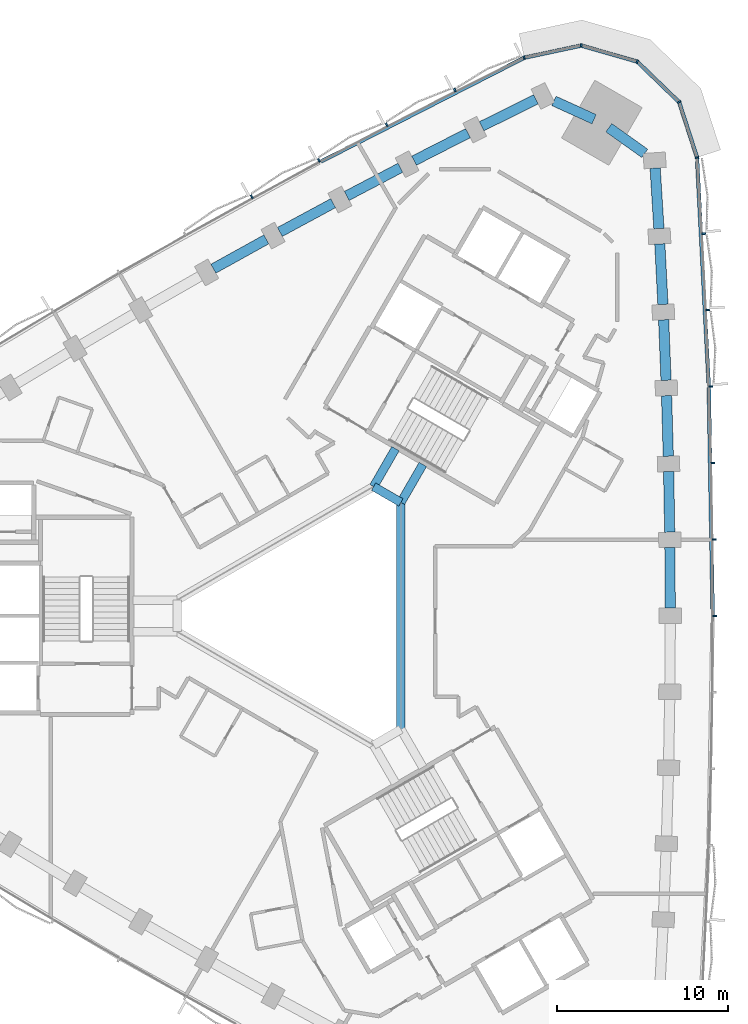
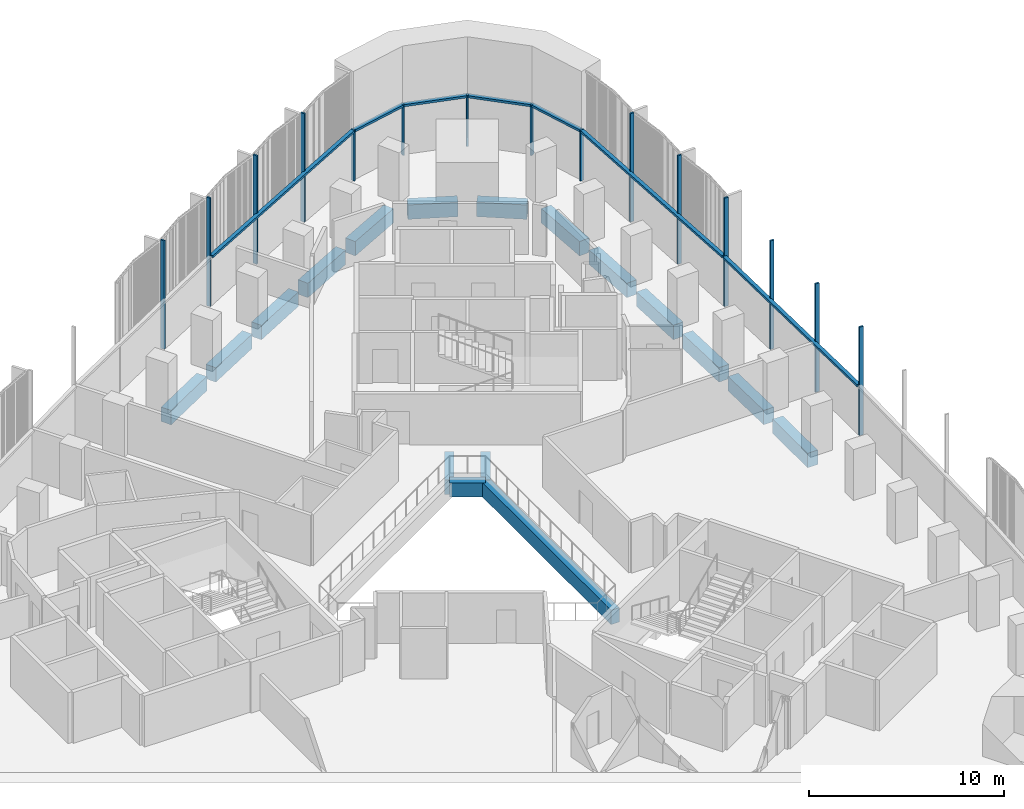
# One storey, part 5 of 15: 22 members, 17 beams, 2 elements without a shape of their own.
"""IFC4 building model written with IfcOpenShell, lengths in metres."""

from ifc_helpers import new_model, si_unit, direction, frame, origin, origin_2d, place, context, subcontext, project, spatial, rectangle, extrude, material, material_profile, profile_set, type_object, element, aggregate, save


model = new_model("IFC4")

# Units and contexts
model_context = context("Model", 3, precision=1e-05, world=origin(), true_north=direction((0.0, 1.0)))
body_context = subcontext(model_context, "Body", "Model", "MODEL_VIEW")
ifc_project = project(units=[si_unit("LENGTHUNIT", "METRE"), si_unit("AREAUNIT", "SQUARE_METRE"), si_unit("VOLUMEUNIT", "CUBIC_METRE"), si_unit("PLANEANGLEUNIT", "RADIAN"), si_unit("MASSUNIT", "GRAM", prefix="KILO")], contexts=[model_context])

# Site, building, storey
site_placement = place(None, origin())
site = spatial("IfcSite", under=ifc_project, at=site_placement, CompositionType="ELEMENT")
building_placement = place(site_placement, origin())
building = spatial("IfcBuilding", under=site, at=building_placement, Name="Tamra Quay Hotel Tower", CompositionType="ELEMENT")
storey_placement = place(building_placement, frame((0.0, 0.0, 101.0)))
storey = spatial("IfcBuildingStorey", under=building, at=storey_placement, Name="L24", CompositionType="ELEMENT", Elevation=101.0)

# Beams
ifc_material_1 = material(Name="Concrete M60", Category="concrete")
ifc_material_profile_1 = material_profile(ifc_material_1, rectangle(XDim=0.5, YDim=0.89990234375, at=origin_2d()), Name="ATRIUM EDGE BEAM RC 500x900")
ifc_profile_set_1 = profile_set([ifc_material_profile_1], Name="Concrete M60")
beam_type_1 = type_object("IfcBeamType", Name="ATRIUM EDGE BEAM RC 500x900", PredefinedType="BEAM", material=ifc_profile_set_1)
beam_1_placement = place(storey_placement, frame((4.89990234375, 6.639404296875, -0.875), z_axis=(0.0, -1.0, 0.0), x_axis=(1.0, 0.0, 0.0)))
element("IfcBeam", 1, at=beam_1_placement, inside=storey, type_object=beam_type_1, Name="BM-AB0-L24", PredefinedType="BEAM", context=body_context, shape_type="SweptSolid", body=[
    extrude(rectangle(XDim=0.5, YDim=0.89990234375, at=origin_2d()), origin(), (0.0, 0.0, 1.0), 13.27880859375),
])
beam_2_placement = place(storey_placement, frame((3.300048828125, 7.563232421875, -0.875), z_axis=(0.865989712182, -0.500061814573, 0.0), x_axis=(0.500061814573, 0.865989712182, 0.0)))
element("IfcBeam", 2, at=beam_2_placement, inside=storey, type_object=beam_type_1, Name="BM-AB5-L24", PredefinedType="BEAM", context=body_context, shape_type="SweptSolid", body=[
    extrude(rectangle(XDim=0.5, YDim=0.89990234375, at=origin_2d()), origin(), (0.0, 0.0, 1.0), 1.847412109375),
])
ifc_material_profile_2 = material_profile(ifc_material_1, rectangle(XDim=0.5, YDim=0.89990234375, at=origin_2d()), Name="ATRIUM TIE BEAM RC 500x900")
ifc_profile_set_2 = profile_set([ifc_material_profile_2], Name="Concrete M60")
beam_type_2 = type_object("IfcBeamType", Name="ATRIUM TIE BEAM RC 500x900", PredefinedType="BEAM", material=ifc_profile_set_2)
for number, where, z_axis, x_axis, name in (
    (3, (4.89990234375, 6.639404296875, -0.875), (0.50003311468, 0.866006284171, 0.0), (-0.866006284171, 0.50003311468, 0.0), "BM-TIE-0-L24"),
    (4, (3.300048828125, 7.563232421875, -0.875), (0.499961652204, 0.866047542763, 0.0), (-0.866047542763, 0.499961652204, 0.0), "BM-TIE-5-L24"),
):
    element("IfcBeam", number, at=place(storey_placement, frame(where, z_axis=z_axis, x_axis=x_axis)), inside=storey, type_object=beam_type_2, Name=name, PredefinedType="BEAM", context=body_context, shape_type="SweptSolid", body=[
        extrude(rectangle(XDim=0.5, YDim=0.89990234375, at=origin_2d()), origin(), (0.0, 0.0, 1.0), 2.562255859375),
    ])

# Curtain wall, members
ifc_material_2 = material(Name="Aluminium 6063 anodised dark grey", Category="aluminium")
curtain_wall_type_1 = type_object("IfcCurtainWallType", Name="CW1 CURTAIN WALL", PredefinedType="NOTDEFINED", material=ifc_material_2)
curtain_wall_1_placement = place(storey_placement, origin())
curtain_wall_1 = element("IfcCurtainWall", 5, at=curtain_wall_1_placement, inside=storey, type_object=curtain_wall_type_1, Name="CW1 east face L24", PredefinedType="NOTDEFINED")
ifc_material_profile_3 = material_profile(ifc_material_2, rectangle(XDim=0.219970703125, YDim=0.10009765625, at=origin_2d()), Name="MULLION 100X220")
ifc_profile_set_3 = profile_set([ifc_material_profile_3], Name="Aluminium 6063 anodised dark grey")
member_type_1 = type_object("IfcMemberType", Name="MULLION CW1 Z2", PredefinedType="MULLION", material=ifc_profile_set_3)
member_1_placement = place(storey_placement, frame((23.2548828125, 0.0, 0.0), z_axis=(0.0, 0.0, 1.0), x_axis=(1.0, 0.0, 0.0)))
member_1 = element("IfcMember", 6, at=member_1_placement, type_object=member_type_1, Name="CW1 mullion L24.E.7", PredefinedType="MULLION", context=body_context, shape_type="SweptSolid", body=[
    extrude(rectangle(XDim=0.219970703125, YDim=0.10009765625, at=origin_2d()), origin(), (0.0, 0.0, 1.0), 6.77490234375),
])
member_2_placement = place(storey_placement, frame((23.229248046875, 4.474365234375, 0.0), z_axis=(0.0, 0.0, 1.0), x_axis=(0.999934749621, 0.011423506449, 0.0)))
member_2 = element("IfcMember", 7, at=member_2_placement, type_object=member_type_1, Name="CW1 mullion L24.E.8", PredefinedType="MULLION", context=body_context, shape_type="SweptSolid", body=[
    extrude(rectangle(XDim=0.219970703125, YDim=0.10009765625, at=origin_2d()), origin(), (0.0, 0.0, 1.0), 6.77490234375),
])
member_3_placement = place(storey_placement, frame((23.152587890625, 8.9482421875, 0.0), z_axis=(0.0, 0.0, 1.0), x_axis=(0.99973912156, 0.022840508384, 0.0)))
member_3 = element("IfcMember", 8, at=member_3_placement, type_object=member_type_1, Name="CW1 mullion L24.E.9", PredefinedType="MULLION", context=body_context, shape_type="SweptSolid", body=[
    extrude(rectangle(XDim=0.219970703125, YDim=0.10009765625, at=origin_2d()), origin(), (0.0, 0.0, 1.0), 6.77490234375),
])
member_4_placement = place(storey_placement, frame((23.02490234375, 13.4208984375, 0.0), z_axis=(0.0, 0.0, 1.0), x_axis=(0.999413445306, 0.034245661637, 0.0)))
member_4 = element("IfcMember", 9, at=member_4_placement, type_object=member_type_1, Name="CW1 mullion L24.E.10", PredefinedType="MULLION", context=body_context, shape_type="SweptSolid", body=[
    extrude(rectangle(XDim=0.219970703125, YDim=0.10009765625, at=origin_2d()), origin(), (0.0, 0.0, 1.0), 6.77490234375),
])
member_5_placement = place(storey_placement, frame((22.84619140625, 17.891845703125, 0.0), z_axis=(0.0, 0.0, 1.0), x_axis=(0.998958269731, 0.045633050909, 0.0)))
member_5 = element("IfcMember", 10, at=member_5_placement, type_object=member_type_1, Name="CW1 mullion L24.E.11", PredefinedType="MULLION", context=body_context, shape_type="SweptSolid", body=[
    extrude(rectangle(XDim=0.219970703125, YDim=0.10009765625, at=origin_2d()), origin(), (0.0, 0.0, 1.0), 6.77490234375),
])
member_6_placement = place(storey_placement, frame((22.616455078125, 22.3603515625, 0.0), z_axis=(0.0, 0.0, 1.0), x_axis=(0.998374392587, 0.056996247479, 0.0)))
member_6 = element("IfcMember", 11, at=member_6_placement, type_object=member_type_1, Name="CW1 mullion L24.E.12", PredefinedType="MULLION", context=body_context, shape_type="SweptSolid", body=[
    extrude(rectangle(XDim=0.219970703125, YDim=0.10009765625, at=origin_2d()), origin(), (0.0, 0.0, 1.0), 6.77490234375),
])
member_7_placement = place(storey_placement, frame((22.226318359375, 26.81787109375, 0.0), z_axis=(0.0, 0.0, 1.0), x_axis=(0.982419091866, 0.186688853275, 0.0)))
member_7 = element("IfcMember", 12, at=member_7_placement, type_object=member_type_1, Name="CW1 mullion L24.E.13", PredefinedType="MULLION", context=body_context, shape_type="SweptSolid", body=[
    extrude(rectangle(XDim=0.219970703125, YDim=0.10009765625, at=origin_2d()), origin(), (0.0, 0.0, 1.0), 3.175048828125),
])
member_8_placement = place(storey_placement, frame((21.1767578125, 30.062255859375, 0.0), z_axis=(0.0, 0.0, 1.0), x_axis=(0.848503146373, 0.529190334941, 0.0)))
member_8 = element("IfcMember", 13, at=member_8_placement, type_object=member_type_1, Name="CW1 mullion L24.E.14", PredefinedType="MULLION", context=body_context, shape_type="SweptSolid", body=[
    extrude(rectangle(XDim=0.219970703125, YDim=0.10009765625, at=origin_2d()), origin(), (0.0, 0.0, 1.0), 3.175048828125),
])
member_9_placement = place(storey_placement, frame((18.724853515625, 32.43212890625, 0.0), z_axis=(0.0, 0.0, 1.0), x_axis=(0.5, 0.866025403784, 0.0)))
member_9 = element("IfcMember", 14, at=member_9_placement, type_object=member_type_1, Name="CW1 mullion L24.E.15", PredefinedType="MULLION", context=body_context, shape_type="SweptSolid", body=[
    extrude(rectangle(XDim=0.219970703125, YDim=0.10009765625, at=origin_2d()), origin(), (0.0, 0.0, 1.0), 3.175048828125),
])
member_10_placement = place(storey_placement, frame((15.4462890625, 33.370849609375, 0.0), z_axis=(0.0, 0.0, 1.0), x_axis=(0.03404070031, 0.999420447421, 0.0)))
member_10 = element("IfcMember", 15, at=member_10_placement, type_object=member_type_1, Name="CW1 mullion L24.E.16", PredefinedType="MULLION", context=body_context, shape_type="SweptSolid", body=[
    extrude(rectangle(XDim=0.219970703125, YDim=0.10009765625, at=origin_2d()), origin(), (0.0, 0.0, 1.0), 3.175048828125),
])

curtain_wall_type_2 = type_object("IfcCurtainWallType", Name="CW2 CURTAIN WALL", PredefinedType="NOTDEFINED", material=ifc_material_2)
curtain_wall_2_placement = place(storey_placement, origin())
curtain_wall_2 = element("IfcCurtainWall", 16, at=curtain_wall_2_placement, inside=storey, type_object=curtain_wall_type_2, Name="CW2 north-west face L24", PredefinedType="NOTDEFINED")
ifc_material_profile_4 = material_profile(ifc_material_2, rectangle(XDim=0.219970703125, YDim=0.10009765625, at=origin_2d()), Name="MULLION 100X220")
ifc_profile_set_4 = profile_set([ifc_material_profile_4], Name="Aluminium 6063 anodised dark grey")
member_type_2 = type_object("IfcMemberType", Name="MULLION CW2 Z2", PredefinedType="MULLION", material=ifc_profile_set_4)
member_11_placement = place(storey_placement, frame((12.111572265625, 32.657470703125, 0.0), z_axis=(0.0, 0.0, 1.0), x_axis=(-0.329532256394, 0.944144317356, 0.0)))
member_11 = element("IfcMember", 17, at=member_11_placement, type_object=member_type_2, Name="CW2 mullion L24.NW.1", PredefinedType="MULLION", context=body_context, shape_type="SweptSolid", body=[
    extrude(rectangle(XDim=0.219970703125, YDim=0.10009765625, at=origin_2d()), origin(), (0.0, 0.0, 1.0), 3.175048828125),
])
member_12_placement = place(storey_placement, frame((8.056396484375, 30.7666015625, 0.0), z_axis=(0.0, 0.0, 1.0), x_axis=(-0.449826998056, 0.893115710208, 0.0)))
member_12 = element("IfcMember", 18, at=member_12_placement, type_object=member_type_2, Name="CW2 mullion L24.NW.2", PredefinedType="MULLION", context=body_context, shape_type="SweptSolid", body=[
    extrude(rectangle(XDim=0.219970703125, YDim=0.10009765625, at=origin_2d()), origin(), (0.0, 0.0, 1.0), 6.77490234375),
])
member_13_placement = place(storey_placement, frame((4.07177734375, 28.731201171875, 0.0), z_axis=(0.0, 0.0, 1.0), x_axis=(-0.459959753526, 0.887939764362, 0.0)))
member_13 = element("IfcMember", 19, at=member_13_placement, type_object=member_type_2, Name="CW2 mullion L24.NW.3", PredefinedType="MULLION", context=body_context, shape_type="SweptSolid", body=[
    extrude(rectangle(XDim=0.219970703125, YDim=0.10009765625, at=origin_2d()), origin(), (0.0, 0.0, 1.0), 6.77490234375),
])
member_14_placement = place(storey_placement, frame((0.110595703125, 26.650634765625, 0.0), z_axis=(0.0, 0.0, 1.0), x_axis=(-0.470049109706, 0.882640263337, 0.0)))
member_14 = element("IfcMember", 20, at=member_14_placement, type_object=member_type_2, Name="CW2 mullion L24.NW.4", PredefinedType="MULLION", context=body_context, shape_type="SweptSolid", body=[
    extrude(rectangle(XDim=0.219970703125, YDim=0.10009765625, at=origin_2d()), origin(), (0.0, 0.0, 1.0), 6.77490234375),
])
member_15_placement = place(storey_placement, frame((-3.826904296875, 24.52490234375, 0.0), z_axis=(0.0, 0.0, 1.0), x_axis=(-0.480089100284, 0.87721973062, 0.0)))
member_15 = element("IfcMember", 21, at=member_15_placement, type_object=member_type_2, Name="CW2 mullion L24.NW.5", PredefinedType="MULLION", context=body_context, shape_type="SweptSolid", body=[
    extrude(rectangle(XDim=0.219970703125, YDim=0.10009765625, at=origin_2d()), origin(), (0.0, 0.0, 1.0), 6.77490234375),
])

# Beams
ifc_material_profile_5 = material_profile(ifc_material_1, rectangle(XDim=0.60009765625, YDim=0.89990234375, at=origin_2d()), Name="SPANDREL BEAM RC 600x900")
ifc_profile_set_5 = profile_set([ifc_material_profile_5], Name="Concrete M60")
beam_type_3 = type_object("IfcBeamType", Name="SPANDREL BEAM RC 600x900", PredefinedType="SPANDREL", material=ifc_profile_set_5)
beam_3_placement = place(storey_placement, frame((20.656494140625, 0.449951171875, -0.875), z_axis=(-0.005716160055, 0.999983662624, 0.0), x_axis=(-0.999983662624, -0.005716160055, 0.0)))
element("IfcBeam", 22, at=beam_3_placement, inside=storey, type_object=beam_type_3, Name="BM-SP2-006-L24", PredefinedType="SPANDREL", context=body_context, shape_type="SweptSolid", body=[
    extrude(rectangle(XDim=0.60009765625, YDim=0.89990234375, at=origin_2d()), origin(), (0.0, 0.0, 1.0), 3.544921875),
])
beam_4_placement = place(storey_placement, frame((20.6259765625, 4.894775390625, -0.875), z_axis=(-0.017149781635, 0.99985293168, 0.0), x_axis=(-0.99985293168, -0.017149781635, 0.0)))
element("IfcBeam", 23, at=beam_4_placement, inside=storey, type_object=beam_type_3, Name="BM-SP2-007-L24", PredefinedType="SPANDREL", context=body_context, shape_type="SweptSolid", body=[
    extrude(rectangle(XDim=0.60009765625, YDim=0.89990234375, at=origin_2d()), origin(), (0.0, 0.0, 1.0), 3.544677734375),
])
for number, where, z_axis, x_axis, name in (
    (24, (20.544677734375, 9.338623046875, -0.875), (-0.02858140136, 0.999591468299, 0.0), (-0.999591468299, -0.02858140136, 0.0), "BM-SP2-008-L24"),
    (25, (20.41259765625, 13.781494140625, -0.875), (-0.039946034354, 0.999201838639, 0.0), (-0.999201838639, -0.039946034354, 0.0), "BM-SP2-009-L24"),
):
    element("IfcBeam", number, at=place(storey_placement, frame(where, z_axis=z_axis, x_axis=x_axis)), inside=storey, type_object=beam_type_3, Name=name, PredefinedType="SPANDREL", context=body_context, shape_type="SweptSolid", body=[
        extrude(rectangle(XDim=0.60009765625, YDim=0.89990234375, at=origin_2d()), origin(), (0.0, 0.0, 1.0), 3.544921875),
    ])
beam_5_placement = place(storey_placement, frame((20.22998046875, 18.22265625, -0.875), z_axis=(-0.051311627905, 0.998682690769, 0.0), x_axis=(-0.998682690769, -0.051311627905, 0.0)))
element("IfcBeam", 26, at=beam_5_placement, inside=storey, type_object=beam_type_3, Name="BM-SP2-010-L24", PredefinedType="SPANDREL", context=body_context, shape_type="SweptSolid", body=[
    extrude(rectangle(XDim=0.60009765625, YDim=0.89990234375, at=origin_2d()), origin(), (0.0, 0.0, 1.0), 3.544677734375),
])
beam_6_placement = place(storey_placement, frame((19.99658203125, 22.661376953125, -0.875), z_axis=(-0.062669833409, 0.99803431403, 0.0), x_axis=(-0.99803431403, -0.062669833409, 0.0)))
element("IfcBeam", 27, at=beam_6_placement, inside=storey, type_object=beam_type_3, Name="BM-SP2-011-L24", PredefinedType="SPANDREL", context=body_context, shape_type="SweptSolid", body=[
    extrude(rectangle(XDim=0.60009765625, YDim=0.89990234375, at=origin_2d()), origin(), (0.0, 0.0, 1.0), 3.545166015625),
])
for number, where, z_axis, x_axis, name in (
    (28, (19.168701171875, 27.060302734375, -0.875), (-0.814339289036, 0.580389112865, 0.0), (-0.580389112865, -0.814339289036, 0.0), "BM-SP2-012-L24"),
    (29, (16.202392578125, 29.057861328125, -0.875), (-0.909819048293, 0.415005179923, 0.0), (-0.415005179923, -0.909819048293, 0.0), "BM-SP2-013-L24"),
):
    element("IfcBeam", number, at=place(storey_placement, frame(where, z_axis=z_axis, x_axis=x_axis)), inside=storey, type_object=beam_type_3, Name=name, PredefinedType="SPANDREL", context=body_context, shape_type="SweptSolid", body=[
        extrude(rectangle(XDim=0.60009765625, YDim=0.89990234375, at=origin_2d()), origin(), (0.0, 0.0, 1.0), 2.5849609375),
    ])
beam_7_placement = place(storey_placement, frame((12.802001953125, 30.22509765625, -0.875), z_axis=(-0.895622275285, -0.444815399928, 0.0), x_axis=(0.444815399928, -0.895622275285, 0.0)))
element("IfcBeam", 30, at=beam_7_placement, inside=storey, type_object=beam_type_3, Name="BM-SP2-014-L24", PredefinedType="SPANDREL", context=body_context, shape_type="SweptSolid", body=[
    extrude(rectangle(XDim=0.60009765625, YDim=0.89990234375, at=origin_2d()), origin(), (0.0, 0.0, 1.0), 3.545166015625),
])
beam_8_placement = place(storey_placement, frame((8.8232421875, 28.243408203125, -0.875), z_axis=(-0.890551251107, -0.45488291807, 0.0), x_axis=(0.45488291807, -0.890551251107, 0.0)))
element("IfcBeam", 31, at=beam_8_placement, inside=storey, type_object=beam_type_3, Name="BM-SP2-015-L24", PredefinedType="SPANDREL", context=body_context, shape_type="SweptSolid", body=[
    extrude(rectangle(XDim=0.60009765625, YDim=0.89990234375, at=origin_2d()), origin(), (0.0, 0.0, 1.0), 3.544921875),
])
beam_9_placement = place(storey_placement, frame((4.8671875, 26.216796875, -0.875), z_axis=(-0.885322773021, -0.464976975312, 0.0), x_axis=(0.464976975312, -0.885322773021, 0.0)))
element("IfcBeam", 32, at=beam_9_placement, inside=storey, type_object=beam_type_3, Name="BM-SP2-016-L24", PredefinedType="SPANDREL", context=body_context, shape_type="SweptSolid", body=[
    extrude(rectangle(XDim=0.60009765625, YDim=0.89990234375, at=origin_2d()), origin(), (0.0, 0.0, 1.0), 3.544677734375),
])
for number, where, z_axis, x_axis, name in (
    (33, (0.9345703125, 24.1455078125, -0.875), (-0.879950887438, -0.475064664753, 0.0), (0.475064664753, -0.879950887438, 0.0), "BM-SP2-017-L24"),
    (34, (-2.97412109375, 22.029296875, -0.875), (-0.874475461638, -0.48506975477, 0.0), (0.48506975477, -0.874475461638, 0.0), "BM-SP2-018-L24"),
):
    element("IfcBeam", number, at=place(storey_placement, frame(where, z_axis=z_axis, x_axis=x_axis)), inside=storey, type_object=beam_type_3, Name=name, PredefinedType="SPANDREL", context=body_context, shape_type="SweptSolid", body=[
        extrude(rectangle(XDim=0.60009765625, YDim=0.89990234375, at=origin_2d()), origin(), (0.0, 0.0, 1.0), 3.544921875),
    ])

# Member
ifc_material_profile_6 = material_profile(ifc_material_2, rectangle(XDim=0.219970703125, YDim=0.139892578125, at=origin_2d()), Name="TRANSOM 220X140")
ifc_profile_set_6 = profile_set([ifc_material_profile_6], Name="Aluminium 6063 anodised dark grey")
member_type_3 = type_object("IfcMemberType", Name="TRANSOM CW1 Z2", PredefinedType="USERDEFINED", material=ifc_profile_set_6)
member_16_placement = place(storey_placement, frame((23.14453125, 0.050048828125, 3.10498046875), z_axis=(-0.017138663343, 0.999853122323, 0.0), x_axis=(-0.999853122323, -0.017138663343, 0.0)))
member_16 = element("IfcMember", 35, at=member_16_placement, type_object=member_type_3, Name="CW1 transom L24.E.7", ObjectType="TRANSOM", PredefinedType="USERDEFINED", context=body_context, shape_type="SweptSolid", body=[
    extrude(rectangle(XDim=0.219970703125, YDim=0.139892578125, at=origin_2d()), origin(), (0.0, 0.0, 1.0), 13.319091796875),
])

member_17_placement = place(storey_placement, frame((22.912841796875, 13.46728515625, 3.10498046875), z_axis=(-0.051309919366, 0.998682778551, 0.0), x_axis=(-0.998682778551, -0.051309919366, 0.0)))
member_17 = element("IfcMember", 36, at=member_17_placement, type_object=member_type_3, Name="CW1 transom L24.E.10", ObjectType="TRANSOM", PredefinedType="USERDEFINED", context=body_context, shape_type="SweptSolid", body=[
    extrude(rectangle(XDim=0.219970703125, YDim=0.139892578125, at=origin_2d()), origin(), (0.0, 0.0, 1.0), 13.318115234375),
])

member_18_placement = place(storey_placement, frame((22.2109375, 26.865234375, 3.10498046875), z_axis=(-0.307784937637, 0.951455953875, 0.0), x_axis=(-0.951455953875, -0.307784937637, 0.0)))
member_18 = element("IfcMember", 37, at=member_18_placement, type_object=member_type_3, Name="CW1 transom L24.E.13", ObjectType="TRANSOM", PredefinedType="USERDEFINED", context=body_context, shape_type="SweptSolid", body=[
    extrude(rectangle(XDim=0.219970703125, YDim=0.139892578125, at=origin_2d()), origin(), (0.0, 0.0, 1.0), 3.31005859375),
])

member_19_placement = place(storey_placement, frame((21.140869140625, 30.09716796875, 3.10498046875), z_axis=(-0.719063315741, 0.694944564664, 0.0), x_axis=(-0.694944564664, -0.719063315741, 0.0)))
member_19 = element("IfcMember", 38, at=member_19_placement, type_object=member_type_3, Name="CW1 transom L24.E.14", ObjectType="TRANSOM", PredefinedType="USERDEFINED", context=body_context, shape_type="SweptSolid", body=[
    extrude(rectangle(XDim=0.219970703125, YDim=0.139892578125, at=origin_2d()), origin(), (0.0, 0.0, 1.0), 3.31005859375),
])

member_20_placement = place(storey_placement, frame((18.6767578125, 32.446044921875, 3.10498046875), z_axis=(-0.961393028347, 0.275178932778, 0.0), x_axis=(-0.275178932778, -0.961393028347, 0.0)))
member_20 = element("IfcMember", 39, at=member_20_placement, type_object=member_type_3, Name="CW1 transom L24.E.15", ObjectType="TRANSOM", PredefinedType="USERDEFINED", context=body_context, shape_type="SweptSolid", body=[
    extrude(rectangle(XDim=0.219970703125, YDim=0.139892578125, at=origin_2d()), origin(), (0.0, 0.0, 1.0), 3.31005859375),
])

member_21_placement = place(storey_placement, frame((15.3974609375, 33.3603515625, 3.10498046875), z_axis=(-0.977877907042, -0.209176477928, 0.0), x_axis=(0.209176477928, -0.977877907042, 0.0)))
member_21 = element("IfcMember", 40, at=member_21_placement, type_object=member_type_3, Name="CW1 transom L24.E.16", ObjectType="TRANSOM", PredefinedType="USERDEFINED", context=body_context, shape_type="SweptSolid", body=[
    extrude(rectangle(XDim=0.219970703125, YDim=0.139892578125, at=origin_2d()), origin(), (0.0, 0.0, 1.0), 3.31005859375),
])

aggregate(curtain_wall_1, [member_1, member_16, member_2, member_3, member_4, member_17, member_5, member_6, member_7, member_18, member_8, member_19, member_9, member_20, member_10, member_21])

ifc_material_profile_7 = material_profile(ifc_material_2, rectangle(XDim=0.219970703125, YDim=0.139892578125, at=origin_2d()), Name="TRANSOM 220X140")
ifc_profile_set_7 = profile_set([ifc_material_profile_7], Name="Aluminium 6063 anodised dark grey")
member_type_4 = type_object("IfcMemberType", Name="TRANSOM CW2 Z2", PredefinedType="USERDEFINED", material=ifc_profile_set_7)
member_22_placement = place(storey_placement, frame((12.06689453125, 32.63525390625, 3.10498046875), z_axis=(-0.890537010915, -0.45491079586, 0.0), x_axis=(0.45491079586, -0.890537010915, 0.0)))
member_22 = element("IfcMember", 41, at=member_22_placement, type_object=member_type_4, Name="CW2 transom L24.NW.1", ObjectType="TRANSOM", PredefinedType="USERDEFINED", context=body_context, shape_type="SweptSolid", body=[
    extrude(rectangle(XDim=0.219970703125, YDim=0.139892578125, at=origin_2d()), origin(), (0.0, 0.0, 1.0), 13.318115234375),
])

aggregate(curtain_wall_2, [member_11, member_22, member_12, member_13, member_14, member_15])

save(model, "model.ifc")
